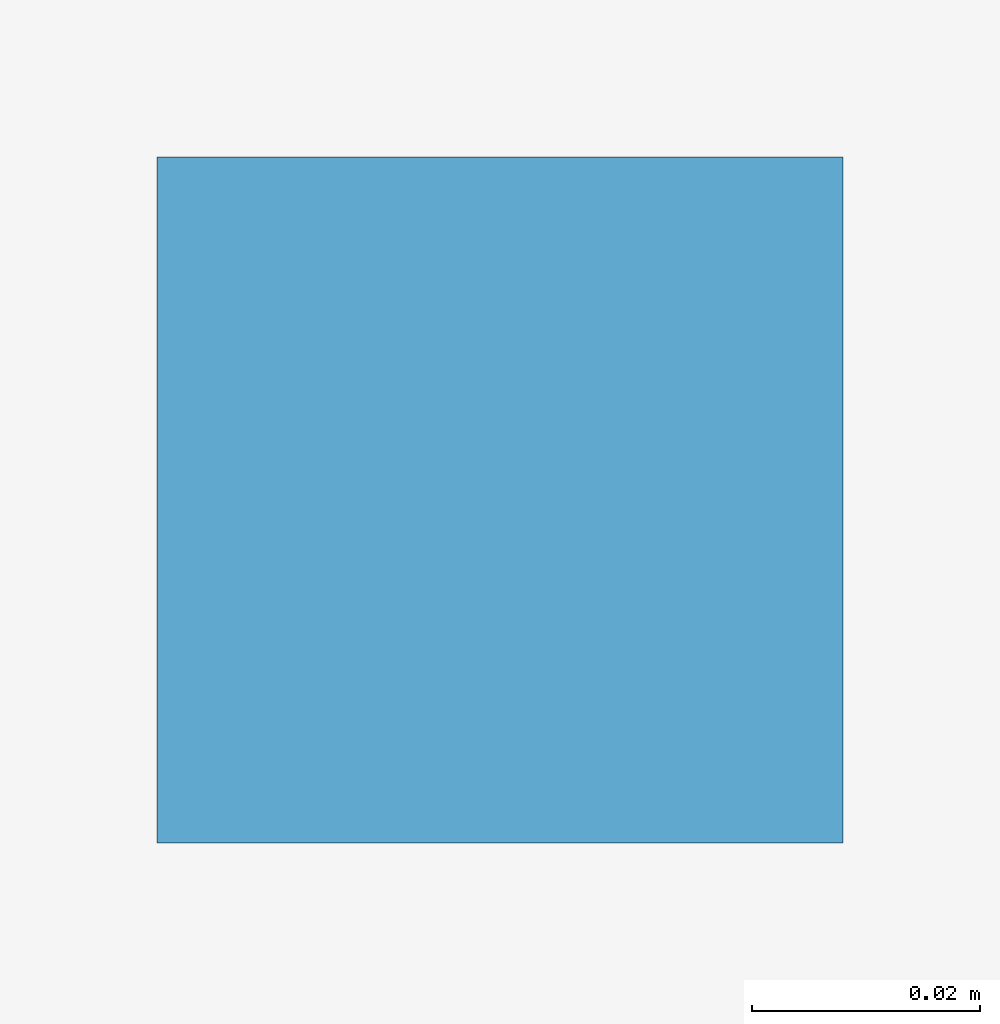
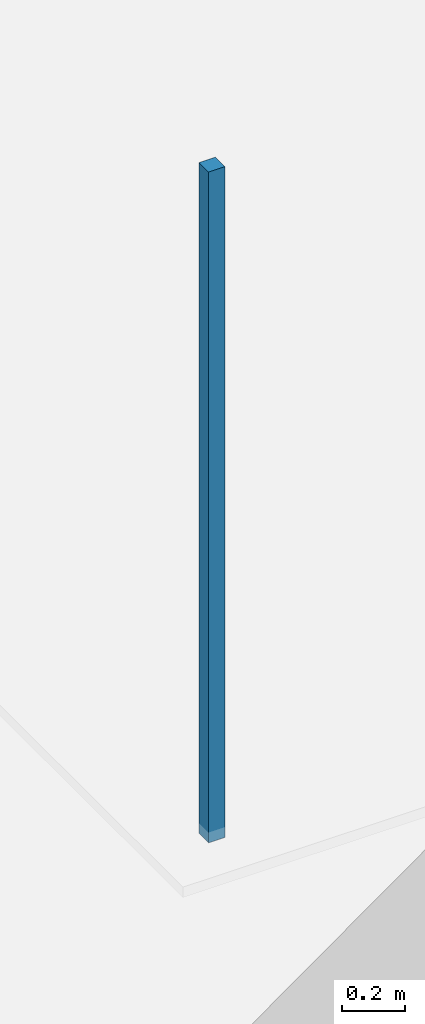
# One storey, part 91 of 129: 1 discrete accessory.
"""IFC4 building model written with IfcOpenShell, lengths in metres."""

from ifc_helpers import new_model, si_unit, direction, frame, origin, origin_2d, place, context, subcontext, project, spatial, rectangle, extrude, material, type_object, element, save


model = new_model("IFC4")

# Units and contexts
model_context = context("Model", 3, precision=1e-05, world=origin(), true_north=direction((0.0, 1.0)))
body_context = subcontext(model_context, "Body", "Model", "MODEL_VIEW")
ifc_project = project(units=[si_unit("LENGTHUNIT", "METRE"), si_unit("AREAUNIT", "SQUARE_METRE"), si_unit("VOLUMEUNIT", "CUBIC_METRE"), si_unit("PLANEANGLEUNIT", "RADIAN"), si_unit("MASSUNIT", "GRAM", prefix="KILO")], contexts=[model_context])

# Site, building, storey
site_placement = place(None, origin())
site = spatial("IfcSite", under=ifc_project, at=site_placement, CompositionType="ELEMENT")
building_placement = place(site_placement, origin())
building = spatial("IfcBuilding", under=site, at=building_placement, Name="Sundkrona Museum", CompositionType="ELEMENT")
storey_placement = place(building_placement, origin())
storey = spatial("IfcBuildingStorey", under=building, at=storey_placement, Name="L00", CompositionType="ELEMENT", Elevation=0.0)

# Discrete accessory
ifc_material = material(Name="Stainless Steel EN 1.4404 Cleat", Category="steel")
discrete_accessory_type = type_object("IfcDiscreteAccessoryType", Name="BRK-FIN-01", PredefinedType="BRACKET", material=ifc_material)
discrete_accessory_placement = place(storey_placement, frame((2.449951171875, 80.449951171875, 2.550048828125), z_axis=(0.0, 0.0, 1.0), x_axis=(1.0, 0.0, 0.0)))
element("IfcDiscreteAccessory", 1, at=discrete_accessory_placement, inside=storey, type_object=discrete_accessory_type, Name="L00 Permanent Visual Arts Gallery Ceiling Hanger 1", PredefinedType="BRACKET", context=body_context, shape_type="SweptSolid", body=[
    extrude(rectangle(XDim=0.06005859375, YDim=0.06005859375, at=origin_2d()), origin(), (0.0, 0.0, 1.0), 2.580078125),
])

save(model, "model.ifc")
